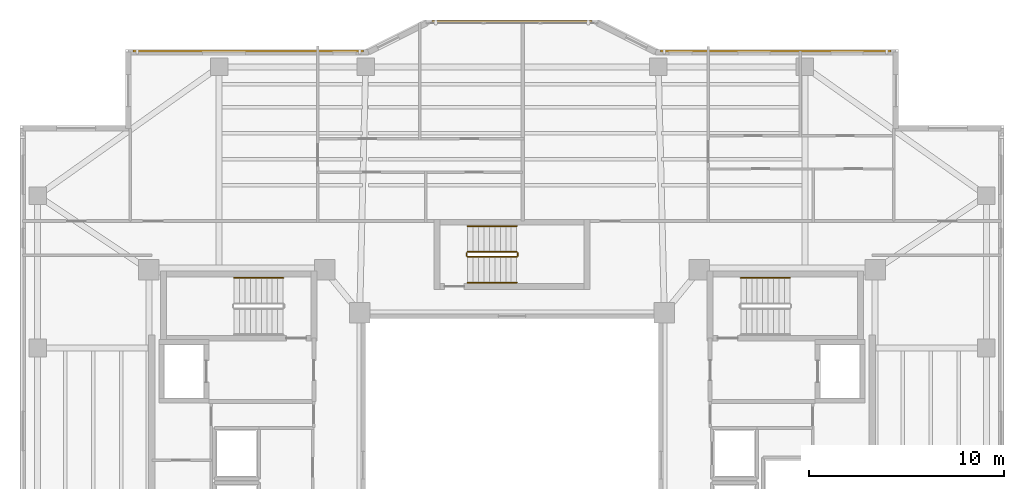
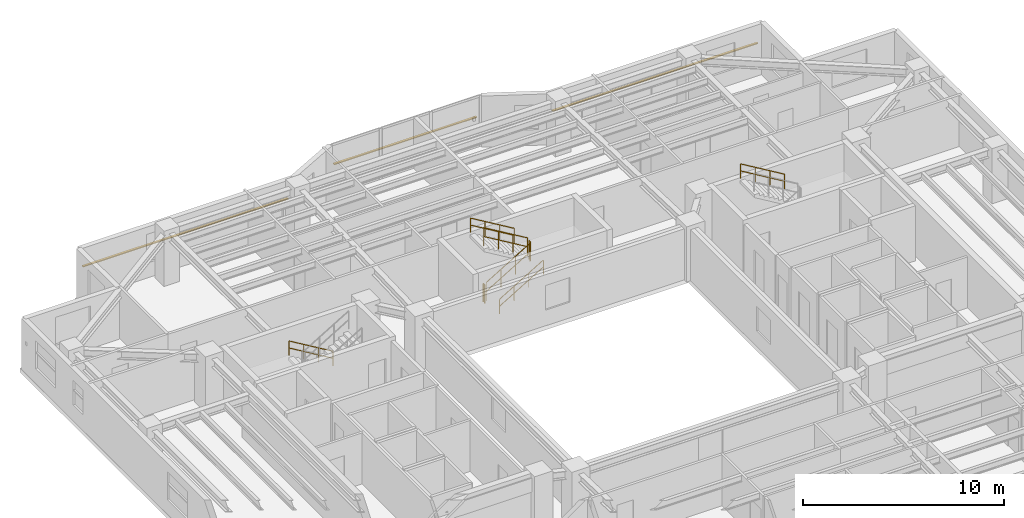
# One storey, part 15 of 15: 8 railings, 3 shading devices.
"""IFC4 building model written with IfcOpenShell, lengths in metres."""

from ifc_helpers import new_model, si_unit, direction, frame, origin, origin_2d, place, context, subcontext, project, spatial, rectangle, circle, extrude, material, material_profile, profile_set, type_object, element, save


model = new_model("IFC4")

# Units and contexts
model_context = context("Model", 3, precision=1e-05, world=origin(), true_north=direction((0.0, 1.0)))
body_context = subcontext(model_context, "Body", "Model", "MODEL_VIEW")
ifc_project = project(units=[si_unit("LENGTHUNIT", "METRE"), si_unit("AREAUNIT", "SQUARE_METRE"), si_unit("VOLUMEUNIT", "CUBIC_METRE"), si_unit("PLANEANGLEUNIT", "RADIAN"), si_unit("MASSUNIT", "GRAM", prefix="KILO")], contexts=[model_context])

# Site, building, storey
site_placement = place(None, origin())
site = spatial("IfcSite", under=ifc_project, at=site_placement, CompositionType="ELEMENT")
building_placement = place(site_placement, origin())
building = spatial("IfcBuilding", under=site, at=building_placement, Name="Tarnavaz Court Tower", CompositionType="ELEMENT")
storey_placement = place(building_placement, frame((0.0, 0.0, 159.39990234375)))
storey = spatial("IfcBuildingStorey", under=building, at=storey_placement, Name="L43", CompositionType="ELEMENT", Elevation=159.39990234375)

# Railings
ifc_material_1 = material(Name="Brushed Stainless Steel", Category="steel")
railing_type_1 = type_object("IfcRailingType", Name="RL-HANDRAIL-900", PredefinedType="HANDRAIL", material=ifc_material_1)
for number, where, name in (
    (1, (-11.719970703125, 9.590087890625, 0.16748046875), "L43 ST-W1 stair handrail 1"),
    (2, (14.239990234375, 9.590087890625, 1.842529296875), "L43 ST-E1 stair handrail 2"),
):
    element("IfcRailing", number, at=place(storey_placement, frame(where)), inside=storey, type_object=railing_type_1, Name=name, PredefinedType="HANDRAIL", context=body_context, shape_type="SweptSolid", body=[
        extrude(circle(Radius=0.02392578125, at=origin_2d()), frame((0.0, 0.0, 0.8759765625), z_axis=(-0.858159760407, 0.0, 0.513382728203), x_axis=(0.0, -1.0, 0.0)), (0.0, 0.0, 1.0), 2.9365234375),
        extrude(circle(Radius=0.02392578125, at=origin_2d()), frame((0.0, 0.0, 0.449951171875), z_axis=(-0.858159760407, 0.0, 0.513382728203), x_axis=(0.0, -1.0, 0.0)), (0.0, 0.0, 1.0), 2.9365234375),
        extrude(circle(Radius=0.02099609375, at=origin_2d()), origin(), (0.0, 0.0, 1.0), 0.851806640625),
        extrude(circle(Radius=0.02099609375, at=origin_2d()), frame((-0.840087890625, 0.0, 0.50244140625)), (0.0, 0.0, 1.0), 0.851806640625),
        extrude(circle(Radius=0.02099609375, at=origin_2d()), frame((-1.679931640625, 0.0, 1.005126953125)), (0.0, 0.0, 1.0), 0.851806640625),
        extrude(circle(Radius=0.02099609375, at=origin_2d()), frame((-2.52001953125, 0.0, 1.507568359375)), (0.0, 0.0, 1.0), 0.851806640625),
    ])
railing_1_placement = place(storey_placement, frame((-2.280029296875, 9.35009765625, 0.16748046875)))
element("IfcRailing", 3, at=railing_1_placement, inside=storey, type_object=railing_type_1, Name="L43 ST-N1 stair handrail 1", PredefinedType="HANDRAIL", context=body_context, shape_type="SweptSolid", body=[
    extrude(circle(Radius=0.02392578125, at=origin_2d()), frame((0.0, 0.0, 0.8759765625), z_axis=(0.858159760407, 0.0, 0.513382728203), x_axis=(0.0, 1.0, 0.0)), (0.0, 0.0, 1.0), 2.9365234375),
    extrude(circle(Radius=0.02392578125, at=origin_2d()), frame((0.0, 0.0, 0.449951171875), z_axis=(0.858159760407, 0.0, 0.513382728203), x_axis=(0.0, 1.0, 0.0)), (0.0, 0.0, 1.0), 2.9365234375),
    extrude(circle(Radius=0.02099609375, at=origin_2d()), origin(), (0.0, 0.0, 1.0), 0.851806640625),
    extrude(circle(Radius=0.02099609375, at=origin_2d()), frame((0.840087890625, 0.0, 0.50244140625)), (0.0, 0.0, 1.0), 0.851806640625),
    extrude(circle(Radius=0.02099609375, at=origin_2d()), frame((1.679931640625, 0.0, 1.005126953125)), (0.0, 0.0, 1.0), 0.851806640625),
    extrude(circle(Radius=0.02099609375, at=origin_2d()), frame((2.52001953125, 0.0, 1.507568359375)), (0.0, 0.0, 1.0), 0.851806640625),
])
railing_2_placement = place(storey_placement, frame((0.239990234375, 12.239990234375, 1.842529296875)))
element("IfcRailing", 4, at=railing_2_placement, inside=storey, type_object=railing_type_1, Name="L43 ST-N1 stair handrail 2", PredefinedType="HANDRAIL", context=body_context, shape_type="SweptSolid", body=[
    extrude(circle(Radius=0.02392578125, at=origin_2d()), frame((0.0, 0.0, 0.8759765625), z_axis=(-0.858159760407, 0.0, 0.513382728203), x_axis=(0.0, -1.0, 0.0)), (0.0, 0.0, 1.0), 2.9365234375),
    extrude(circle(Radius=0.02392578125, at=origin_2d()), frame((0.0, 0.0, 0.449951171875), z_axis=(-0.858159760407, 0.0, 0.513382728203), x_axis=(0.0, -1.0, 0.0)), (0.0, 0.0, 1.0), 2.9365234375),
    extrude(circle(Radius=0.02099609375, at=origin_2d()), origin(), (0.0, 0.0, 1.0), 0.851806640625),
    extrude(circle(Radius=0.02099609375, at=origin_2d()), frame((-0.840087890625, 0.0, 0.50244140625)), (0.0, 0.0, 1.0), 0.851806640625),
    extrude(circle(Radius=0.02099609375, at=origin_2d()), frame((-1.679931640625, 0.0, 1.005126953125)), (0.0, 0.0, 1.0), 0.851806640625),
    extrude(circle(Radius=0.02099609375, at=origin_2d()), frame((-2.52001953125, 0.0, 1.507568359375)), (0.0, 0.0, 1.0), 0.851806640625),
])
ifc_material_2 = material(Name="Galvanized Painted Tubular Steel", Category="steel")
railing_type_2 = type_object("IfcRailingType", Name="RL-STGUARD-1120", PredefinedType="GUARDRAIL", material=ifc_material_2)
railing_3_placement = place(storey_placement, frame((-2.280029296875, 10.669921875, 0.16748046875)))
element("IfcRailing", 5, at=railing_3_placement, inside=storey, type_object=railing_type_2, Name="L43 ST-N1 stair guard 1", PredefinedType="GUARDRAIL", context=body_context, shape_type="SweptSolid", body=[
    extrude(circle(Radius=0.02392578125, at=origin_2d()), frame((0.0, 0.0, 1.09619140625), z_axis=(0.858159760407, 0.0, 0.513382728203), x_axis=(0.0, 1.0, 0.0)), (0.0, 0.0, 1.0), 2.9365234375),
    extrude(circle(Radius=0.02392578125, at=origin_2d()), frame((0.0, 0.0, 0.56005859375), z_axis=(0.858159760407, 0.0, 0.513382728203), x_axis=(0.0, 1.0, 0.0)), (0.0, 0.0, 1.0), 2.9365234375),
    extrude(circle(Radius=0.02099609375, at=origin_2d()), origin(), (0.0, 0.0, 1.0), 1.072021484375),
    extrude(circle(Radius=0.02099609375, at=origin_2d()), frame((0.840087890625, 0.0, 0.50244140625)), (0.0, 0.0, 1.0), 1.072021484375),
    extrude(circle(Radius=0.02099609375, at=origin_2d()), frame((1.679931640625, 0.0, 1.005126953125)), (0.0, 0.0, 1.0), 1.072021484375),
    extrude(circle(Radius=0.02099609375, at=origin_2d()), frame((2.52001953125, 0.0, 1.507568359375)), (0.0, 0.0, 1.0), 1.072021484375),
])
railing_4_placement = place(storey_placement, frame((0.2900390625, 10.719970703125, 1.675048828125)))
element("IfcRailing", 6, at=railing_4_placement, inside=storey, type_object=railing_type_2, Name="L43 ST-N1 stair guard 2", PredefinedType="GUARDRAIL", context=body_context, shape_type="SweptSolid", body=[
    extrude(circle(Radius=0.02392578125, at=origin_2d()), frame((0.0, 0.0, 1.09619140625), z_axis=(0.0, 1.0, 0.0), x_axis=(-1.0, 0.0, 0.0)), (0.0, 0.0, 1.0), 0.150146484375),
    extrude(circle(Radius=0.02392578125, at=origin_2d()), frame((0.0, 0.0, 0.56005859375), z_axis=(0.0, 1.0, 0.0), x_axis=(-1.0, 0.0, 0.0)), (0.0, 0.0, 1.0), 0.150146484375),
    extrude(circle(Radius=0.02099609375, at=origin_2d()), origin(), (0.0, 0.0, 1.0), 1.072021484375),
    extrude(circle(Radius=0.02099609375, at=origin_2d()), frame((0.0, 0.150146484375, 0.0)), (0.0, 0.0, 1.0), 1.072021484375),
])
railing_5_placement = place(storey_placement, frame((0.239990234375, 10.919921875, 1.842529296875)))
element("IfcRailing", 7, at=railing_5_placement, inside=storey, type_object=railing_type_2, Name="L43 ST-N1 stair guard 3", PredefinedType="GUARDRAIL", context=body_context, shape_type="SweptSolid", body=[
    extrude(circle(Radius=0.02392578125, at=origin_2d()), frame((0.0, 0.0, 1.09619140625), z_axis=(-0.858159760407, 0.0, 0.513382728203), x_axis=(0.0, -1.0, 0.0)), (0.0, 0.0, 1.0), 2.9365234375),
    extrude(circle(Radius=0.02392578125, at=origin_2d()), frame((0.0, 0.0, 0.56005859375), z_axis=(-0.858159760407, 0.0, 0.513382728203), x_axis=(0.0, -1.0, 0.0)), (0.0, 0.0, 1.0), 2.9365234375),
    extrude(circle(Radius=0.02099609375, at=origin_2d()), origin(), (0.0, 0.0, 1.0), 1.072021484375),
    extrude(circle(Radius=0.02099609375, at=origin_2d()), frame((-0.840087890625, 0.0, 0.50244140625)), (0.0, 0.0, 1.0), 1.072021484375),
    extrude(circle(Radius=0.02099609375, at=origin_2d()), frame((-1.679931640625, 0.0, 1.005126953125)), (0.0, 0.0, 1.0), 1.072021484375),
    extrude(circle(Radius=0.02099609375, at=origin_2d()), frame((-2.52001953125, 0.0, 1.507568359375)), (0.0, 0.0, 1.0), 1.072021484375),
])
railing_6_placement = place(storey_placement, frame((-2.330078125, 10.719970703125, 0.0)))
element("IfcRailing", 8, at=railing_6_placement, inside=storey, type_object=railing_type_2, Name="L43 ST-N1 stair guard 4", PredefinedType="GUARDRAIL", context=body_context, shape_type="SweptSolid", body=[
    extrude(circle(Radius=0.02392578125, at=origin_2d()), frame((0.0, 0.0, 1.09619140625), z_axis=(0.0, 1.0, 0.0), x_axis=(-1.0, 0.0, 0.0)), (0.0, 0.0, 1.0), 0.150146484375),
    extrude(circle(Radius=0.02392578125, at=origin_2d()), frame((0.0, 0.0, 0.56005859375), z_axis=(0.0, 1.0, 0.0), x_axis=(-1.0, 0.0, 0.0)), (0.0, 0.0, 1.0), 0.150146484375),
    extrude(circle(Radius=0.02099609375, at=origin_2d()), origin(), (0.0, 0.0, 1.0), 1.072021484375),
    extrude(circle(Radius=0.02099609375, at=origin_2d()), frame((0.0, 0.150146484375, 0.0)), (0.0, 0.0, 1.0), 1.072021484375),
])

# Shading devices
ifc_material_3 = material(Name="Kiln-Fired Khorasan Terracotta Ceramic", Category="masonry")
ifc_material_profile = material_profile(ifc_material_3, rectangle(XDim=0.1201171875, YDim=0.06005859375, at=origin_2d()), Name="TC BAGUETTE 120X60")
ifc_profile_set = profile_set([ifc_material_profile], Name="Kiln-Fired Khorasan Terracotta Ceramic")
shading_device_type = type_object("IfcShadingDeviceType", Name="SD-BAG-120", PredefinedType="USERDEFINED", material=ifc_profile_set)
shading_device_1_placement = place(storey_placement, frame((-19.39990234375, 21.2099609375, 1.85009765625), z_axis=(1.0, 0.0, 0.0), x_axis=(0.0, 1.0, 0.0)))
element("IfcShadingDevice", 9, at=shading_device_1_placement, inside=storey, type_object=shading_device_type, Name="L43 Terracotta Baguette Screen FBG05", ObjectType="BAGUETTE", PredefinedType="USERDEFINED", context=body_context, shape_type="SweptSolid", body=[
    extrude(rectangle(XDim=0.1201171875, YDim=0.06005859375, at=origin_2d()), origin(), (0.0, 0.0, 1.0), 11.7998046875),
])
shading_device_2_placement = place(storey_placement, frame((-4.10009765625, 22.7099609375, 1.800048828125), z_axis=(1.0, 0.0, 0.0), x_axis=(0.0, 1.0, 0.0)))
element("IfcShadingDevice", 10, at=shading_device_2_placement, inside=storey, type_object=shading_device_type, Name="L43 Terracotta Baguette Screen PBG7", ObjectType="BAGUETTE", PredefinedType="USERDEFINED", context=body_context, shape_type="SweptSolid", body=[
    extrude(rectangle(XDim=0.1201171875, YDim=0.06005859375, at=origin_2d()), origin(), (0.0, 0.0, 1.0), 8.2001953125),
])
shading_device_3_placement = place(storey_placement, frame((7.60009765625, 21.2099609375, 1.85009765625), z_axis=(1.0, 0.0, 0.0), x_axis=(0.0, 1.0, 0.0)))
element("IfcShadingDevice", 11, at=shading_device_3_placement, inside=storey, type_object=shading_device_type, Name="L43 Terracotta Baguette Screen FBG09", ObjectType="BAGUETTE", PredefinedType="USERDEFINED", context=body_context, shape_type="SweptSolid", body=[
    extrude(rectangle(XDim=0.1201171875, YDim=0.06005859375, at=origin_2d()), origin(), (0.0, 0.0, 1.0), 11.7998046875),
])

save(model, "model.ifc")
